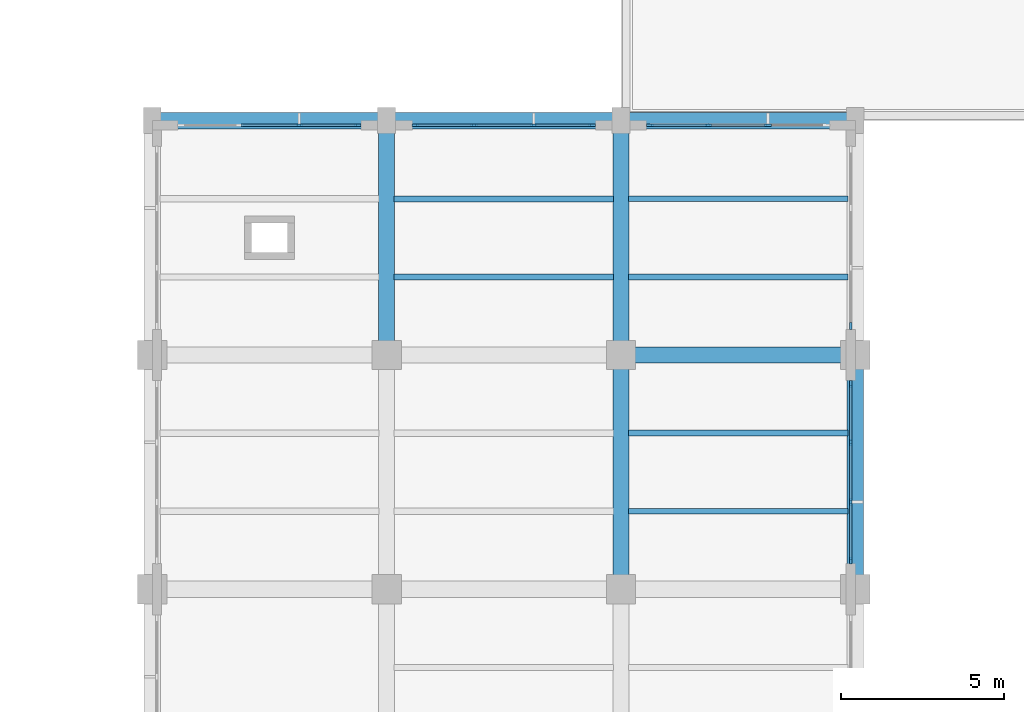
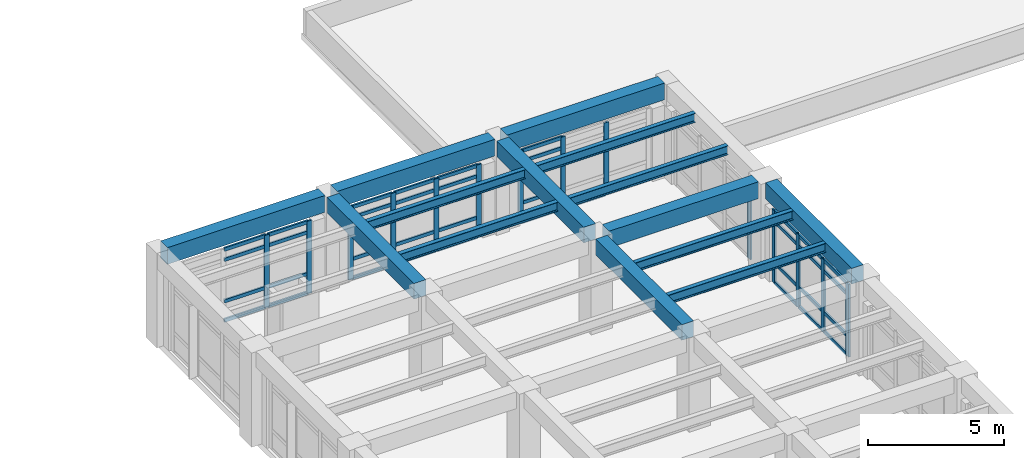
# One storey, part 20 of 69: 51 members, 14 beams, 5 elements without a shape of their own.
"""IFC4 building model written with IfcOpenShell, lengths in metres."""

from ifc_helpers import new_model, si_unit, direction, frame, origin, origin_2d, place, context, subcontext, project, spatial, rectangle, i_section, extrude, material, layer, layer_set, material_profile, profile_set, type_object, element, aggregate, save


model = new_model("IFC4")

# Units and contexts
model_context = context("Model", 3, precision=1e-05, world=origin(), true_north=direction((0.0, 1.0)))
body_context = subcontext(model_context, "Body", "Model", "MODEL_VIEW")
ifc_project = project(units=[si_unit("LENGTHUNIT", "METRE"), si_unit("AREAUNIT", "SQUARE_METRE"), si_unit("VOLUMEUNIT", "CUBIC_METRE"), si_unit("PLANEANGLEUNIT", "RADIAN"), si_unit("MASSUNIT", "GRAM", prefix="KILO")], contexts=[model_context])

# Site, building, storey
site_placement = place(None, origin())
site = spatial("IfcSite", under=ifc_project, at=site_placement, CompositionType="ELEMENT")
building_placement = place(site_placement, origin())
building = spatial("IfcBuilding", under=site, at=building_placement, Name="Solenvale Faculty of Natural Sciences", CompositionType="ELEMENT")
storey_placement = place(building_placement, frame((0.0, 0.0, 4.5)))
storey = spatial("IfcBuildingStorey", under=building, at=storey_placement, Name="L01", CompositionType="ELEMENT", Elevation=4.5)

# Beams
ifc_material_1 = material(Name="Concrete 40 MPa", Category="concrete")
ifc_material_profile_1 = material_profile(ifc_material_1, rectangle(XDim=0.5, YDim=0.699951171875, at=origin_2d()), Name="RC-BM-500x700")
ifc_profile_set_1 = profile_set([ifc_material_profile_1], Name="Concrete 40 MPa")
beam_type_1 = type_object("IfcBeamType", Name="BM-RC-500x700", PredefinedType="BEAM", material=ifc_profile_set_1)
beam_1_placement = place(storey_placement, frame((43.199951171875, 86.830078125, 3.8701171875), z_axis=(0.0, 1.0, 0.0), x_axis=(-1.0, 0.0, 0.0)))
element("IfcBeam", 1, at=beam_1_placement, inside=storey, type_object=beam_type_1, Name="L01 Y-Girder X43.2 (86.4..93.6)", PredefinedType="BEAM", context=body_context, shape_type="SweptSolid", body=[
    extrude(rectangle(XDim=0.5, YDim=0.699951171875, at=origin_2d()), origin(), (0.0, 0.0, 1.0), 6.389892578125),
])
beam_2_placement = place(storey_placement, frame((50.39990234375, 79.6298828125, 3.8701171875), z_axis=(0.0, 1.0, 0.0), x_axis=(-1.0, 0.0, 0.0)))
element("IfcBeam", 2, at=beam_2_placement, inside=storey, type_object=beam_type_1, Name="L01 Y-Girder X50.4 (79.2..86.4)", PredefinedType="BEAM", context=body_context, shape_type="SweptSolid", body=[
    extrude(rectangle(XDim=0.5, YDim=0.699951171875, at=origin_2d()), origin(), (0.0, 0.0, 1.0), 6.340087890625),
])
beam_3_placement = place(storey_placement, frame((50.39990234375, 86.830078125, 3.8701171875), z_axis=(0.0, 1.0, 0.0), x_axis=(-1.0, 0.0, 0.0)))
element("IfcBeam", 3, at=beam_3_placement, inside=storey, type_object=beam_type_1, Name="L01 Y-Girder X50.4 (86.4..93.6)", PredefinedType="BEAM", context=body_context, shape_type="SweptSolid", body=[
    extrude(rectangle(XDim=0.5, YDim=0.699951171875, at=origin_2d()), origin(), (0.0, 0.0, 1.0), 6.389892578125),
])
beam_4_placement = place(storey_placement, frame((57.60009765625, 79.6298828125, 3.8701171875), z_axis=(0.0, 1.0, 0.0), x_axis=(-1.0, 0.0, 0.0)))
element("IfcBeam", 4, at=beam_4_placement, inside=storey, type_object=beam_type_1, Name="L01 Y-Girder X57.6 (79.2..86.4)", PredefinedType="BEAM", context=body_context, shape_type="SweptSolid", body=[
    extrude(rectangle(XDim=0.5, YDim=0.699951171875, at=origin_2d()), origin(), (0.0, 0.0, 1.0), 6.340087890625),
])
ifc_material_profile_2 = material_profile(ifc_material_1, rectangle(XDim=0.5, YDim=0.75, at=origin_2d()), Name="RC-BM-500x750")
ifc_profile_set_2 = profile_set([ifc_material_profile_2], Name="Concrete 40 MPa")
beam_type_2 = type_object("IfcBeamType", Name="BM-RC-500x750", PredefinedType="BEAM", material=ifc_profile_set_2)
beam_5_placement = place(storey_placement, frame((50.830078125, 86.39990234375, 3.844970703125), z_axis=(1.0, 0.0, 0.0), x_axis=(0.0, 1.0, 0.0)))
element("IfcBeam", 5, at=beam_5_placement, inside=storey, type_object=beam_type_2, Name="L01 X-Girder Y86.4 (50.4..57.6)", PredefinedType="BEAM", context=body_context, shape_type="SweptSolid", body=[
    extrude(rectangle(XDim=0.5, YDim=0.75, at=origin_2d()), origin(), (0.0, 0.0, 1.0), 6.33984375),
])
beam_6_placement = place(storey_placement, frame((36.2548828125, 93.60009765625, 3.844970703125), z_axis=(1.0, 0.0, 0.0), x_axis=(0.0, 1.0, 0.0)))
element("IfcBeam", 6, at=beam_6_placement, inside=storey, type_object=beam_type_2, Name="L01 X-Girder Y93.6 (36.0..43.2)", PredefinedType="BEAM", context=body_context, shape_type="SweptSolid", body=[
    extrude(rectangle(XDim=0.5, YDim=0.75, at=origin_2d()), origin(), (0.0, 0.0, 1.0), 6.690185546875),
])
for number, where, z_axis, x_axis, name in (
    (7, (43.455078125, 93.60009765625, 3.844970703125), (1.0, 0.0, 0.0), (0.0, 1.0, 0.0), "L01 X-Girder Y93.6 (43.2..50.4)"),
    (8, (50.655029296875, 93.60009765625, 3.844970703125), (1.0, 0.0, 0.0), (0.0, 1.0, 0.0), "L01 X-Girder Y93.6 (50.4..57.6)"),
):
    element("IfcBeam", number, at=place(storey_placement, frame(where, z_axis=z_axis, x_axis=x_axis)), inside=storey, type_object=beam_type_2, Name=name, PredefinedType="BEAM", context=body_context, shape_type="SweptSolid", body=[
        extrude(rectangle(XDim=0.5, YDim=0.75, at=origin_2d()), origin(), (0.0, 0.0, 1.0), 6.68994140625),
    ])
ifc_material_2 = material(Name="Steel S355", Category="steel")
ifc_material_profile_3 = material_profile(ifc_material_2, i_section(OverallWidth=0.178955078125, OverallDepth=0.409912109375, WebThickness=0.0087890625, FlangeThickness=0.014404296875, FilletRadius=0.01611328125, at=origin_2d()), Name="W410x67")
ifc_profile_set_3 = profile_set([ifc_material_profile_3], Name="Steel S355")
beam_type_3 = type_object("IfcBeamType", Name="BM-STL-W410x67", PredefinedType="JOIST", material=ifc_profile_set_3)
for number, where, z_axis, x_axis, name in (
    (9, (50.6298828125, 88.800048828125, 4.014892578125), (1.0, 0.0, 0.0), (0.0, 1.0, 0.0), "L01 Composite Floor Joist (8,13).1"),
    (10, (50.6298828125, 91.199951171875, 4.014892578125), (1.0, 0.0, 0.0), (0.0, 1.0, 0.0), "L01 Composite Floor Joist (8,13).2"),
):
    element("IfcBeam", number, at=place(storey_placement, frame(where, z_axis=z_axis, x_axis=x_axis)), inside=storey, type_object=beam_type_3, Name=name, PredefinedType="JOIST", context=body_context, shape_type="SweptSolid", body=[
        extrude(i_section(OverallWidth=0.178955078125, OverallDepth=0.409912109375, WebThickness=0.0087890625, FlangeThickness=0.014404296875, FilletRadius=0.01611328125, at=origin_2d()), origin(), (0.0, 0.0, 1.0), 6.740234375),
    ])
ifc_material_profile_4 = material_profile(ifc_material_2, i_section(OverallWidth=0.180908203125, OverallDepth=0.4169921875, WebThickness=0.010986328125, FlangeThickness=0.018310546875, FilletRadius=0.01611328125, at=origin_2d()), Name="W410x85")
ifc_profile_set_4 = profile_set([ifc_material_profile_4], Name="Steel S355")
beam_type_4 = type_object("IfcBeamType", Name="BM-STL-W410x85", PredefinedType="JOIST", material=ifc_profile_set_4)
for number, where, z_axis, x_axis, name in (
    (11, (43.429931640625, 88.800048828125, 4.011474609375), (1.0, 0.0, 0.0), (0.0, 1.0, 0.0), "L01 Composite Floor Joist (7,13).1"),
    (12, (43.429931640625, 91.199951171875, 4.011474609375), (1.0, 0.0, 0.0), (0.0, 1.0, 0.0), "L01 Composite Floor Joist (7,13).2"),
):
    element("IfcBeam", number, at=place(storey_placement, frame(where, z_axis=z_axis, x_axis=x_axis)), inside=storey, type_object=beam_type_4, Name=name, PredefinedType="JOIST", context=body_context, shape_type="SweptSolid", body=[
        extrude(i_section(OverallWidth=0.180908203125, OverallDepth=0.4169921875, WebThickness=0.010986328125, FlangeThickness=0.018310546875, FilletRadius=0.01611328125, at=origin_2d()), origin(), (0.0, 0.0, 1.0), 6.739990234375),
    ])
for number, where, z_axis, x_axis, name in (
    (13, (50.6298828125, 81.60009765625, 4.011474609375), (1.0, 0.0, 0.0), (0.0, 1.0, 0.0), "L01 Composite Floor Joist (8,12).1"),
    (14, (50.6298828125, 84.0, 4.011474609375), (1.0, 0.0, 0.0), (0.0, 1.0, 0.0), "L01 Composite Floor Joist (8,12).2"),
):
    element("IfcBeam", number, at=place(storey_placement, frame(where, z_axis=z_axis, x_axis=x_axis)), inside=storey, type_object=beam_type_4, Name=name, PredefinedType="JOIST", context=body_context, shape_type="SweptSolid", body=[
        extrude(i_section(OverallWidth=0.180908203125, OverallDepth=0.4169921875, WebThickness=0.010986328125, FlangeThickness=0.018310546875, FilletRadius=0.01611328125, at=origin_2d()), origin(), (0.0, 0.0, 1.0), 6.740234375),
    ])

# Curtain wall, members
ifc_material_3 = material(Name="Anodised bronze aluminium", Category="aluminium")
ifc_layer = layer(ifc_material_3, 0.215087890625)
ifc_layer_set = layer_set([ifc_layer], Name="Anodised bronze aluminium")
curtain_wall_type = type_object("IfcCurtainWallType", Name="CW-ATR-UNIT", PredefinedType="USERDEFINED", material=ifc_layer_set)
curtain_wall_1_placement = place(storey_placement, origin())
curtain_wall_1 = element("IfcCurtainWall", 15, at=curtain_wall_1_placement, inside=storey, type_object=curtain_wall_type, Name="L01 Curtain Wall CW-L01-P1-E12-B6", ObjectType="UNITISED CURTAIN WALL", PredefinedType="USERDEFINED")
ifc_material_profile_5 = material_profile(ifc_material_3, rectangle(XDim=0.074951171875, YDim=0.2099609375, at=origin_2d()), Name="ALU-MUL-75x210")
ifc_profile_set_5 = profile_set([ifc_material_profile_5], Name="Anodised bronze aluminium")
member_type_1 = type_object("IfcMemberType", Name="CWM-ALU-75x210", PredefinedType="MULLION", material=ifc_profile_set_5)
member_1_placement = place(storey_placement, frame((57.45751953125, 80.08740234375, 0.0), z_axis=(0.0, 0.0, 1.0), x_axis=(-1.0, 0.0, 0.0)))
member_1 = element("IfcMember", 16, at=member_1_placement, type_object=member_type_1, Name="CW-01 mullion 1", PredefinedType="MULLION", context=body_context, shape_type="SweptSolid", body=[
    extrude(rectangle(XDim=0.074951171875, YDim=0.2099609375, at=origin_2d()), origin(), (0.0, 0.0, 1.0), 3.260009765625),
])
member_2_placement = place(storey_placement, frame((57.45751953125, 81.88330078125, 0.0), z_axis=(0.0, 0.0, 1.0), x_axis=(-1.0, 0.0, 0.0)))
member_2 = element("IfcMember", 17, at=member_2_placement, type_object=member_type_1, Name="CW-01 mullion 2", PredefinedType="MULLION", context=body_context, shape_type="SweptSolid", body=[
    extrude(rectangle(XDim=0.074951171875, YDim=0.2099609375, at=origin_2d()), origin(), (0.0, 0.0, 1.0), 3.260009765625),
])
member_3_placement = place(storey_placement, frame((57.45751953125, 83.716552734375, 0.0), z_axis=(0.0, 0.0, 1.0), x_axis=(-1.0, 0.0, 0.0)))
member_3 = element("IfcMember", 18, at=member_3_placement, type_object=member_type_1, Name="CW-01 mullion 3", PredefinedType="MULLION", context=body_context, shape_type="SweptSolid", body=[
    extrude(rectangle(XDim=0.074951171875, YDim=0.2099609375, at=origin_2d()), origin(), (0.0, 0.0, 1.0), 3.260009765625),
])
member_4_placement = place(storey_placement, frame((57.45751953125, 85.512451171875, 0.0), z_axis=(0.0, 0.0, 1.0), x_axis=(-1.0, 0.0, 0.0)))
member_4 = element("IfcMember", 19, at=member_4_placement, type_object=member_type_1, Name="CW-01 mullion 4", PredefinedType="MULLION", context=body_context, shape_type="SweptSolid", body=[
    extrude(rectangle(XDim=0.074951171875, YDim=0.2099609375, at=origin_2d()), origin(), (0.0, 0.0, 1.0), 3.260009765625),
])

# Curtain wall, member
curtain_wall_2_placement = place(storey_placement, origin())
curtain_wall_2 = element("IfcCurtainWall", 20, at=curtain_wall_2_placement, inside=storey, type_object=curtain_wall_type, Name="L01 Curtain Wall CW-L01-P1-E12-B7", ObjectType="UNITISED CURTAIN WALL", PredefinedType="USERDEFINED")
member_5_placement = place(storey_placement, frame((57.45751953125, 87.28759765625, 0.0), z_axis=(0.0, 0.0, 1.0), x_axis=(-1.0, 0.0, 0.0)))
member_5 = element("IfcMember", 21, at=member_5_placement, type_object=member_type_1, Name="CW-01 mullion 1", PredefinedType="MULLION", context=body_context, shape_type="SweptSolid", body=[
    extrude(rectangle(XDim=0.074951171875, YDim=0.2099609375, at=origin_2d()), origin(), (0.0, 0.0, 1.0), 3.260009765625),
])
aggregate(curtain_wall_2, [member_5])

# Curtain wall, members
curtain_wall_3_placement = place(storey_placement, origin())
curtain_wall_3 = element("IfcCurtainWall", 22, at=curtain_wall_3_placement, inside=storey, type_object=curtain_wall_type, Name="L01 Curtain Wall CW-L01-P1-E13-B1", ObjectType="UNITISED CURTAIN WALL", PredefinedType="USERDEFINED")
member_6_placement = place(storey_placement, frame((54.916748046875, 93.45751953125, 0.0), z_axis=(0.0, 0.0, 1.0), x_axis=(0.0, -1.0, 0.0)))
member_6 = element("IfcMember", 23, at=member_6_placement, type_object=member_type_1, Name="CW-01 mullion 2", PredefinedType="MULLION", context=body_context, shape_type="SweptSolid", body=[
    extrude(rectangle(XDim=0.074951171875, YDim=0.2099609375, at=origin_2d()), origin(), (0.0, 0.0, 1.0), 3.260009765625),
])
member_7_placement = place(storey_placement, frame((53.083251953125, 93.45751953125, 0.0), z_axis=(0.0, 0.0, 1.0), x_axis=(0.0, -1.0, 0.0)))
member_7 = element("IfcMember", 24, at=member_7_placement, type_object=member_type_1, Name="CW-01 mullion 3", PredefinedType="MULLION", context=body_context, shape_type="SweptSolid", body=[
    extrude(rectangle(XDim=0.074951171875, YDim=0.2099609375, at=origin_2d()), origin(), (0.0, 0.0, 1.0), 3.260009765625),
])
member_8_placement = place(storey_placement, frame((51.28759765625, 93.45751953125, 0.0), z_axis=(0.0, 0.0, 1.0), x_axis=(0.0, -1.0, 0.0)))
member_8 = element("IfcMember", 25, at=member_8_placement, type_object=member_type_1, Name="CW-01 mullion 4", PredefinedType="MULLION", context=body_context, shape_type="SweptSolid", body=[
    extrude(rectangle(XDim=0.074951171875, YDim=0.2099609375, at=origin_2d()), origin(), (0.0, 0.0, 1.0), 3.260009765625),
])

curtain_wall_4_placement = place(storey_placement, origin())
curtain_wall_4 = element("IfcCurtainWall", 26, at=curtain_wall_4_placement, inside=storey, type_object=curtain_wall_type, Name="L01 Curtain Wall CW-L01-P1-E13-B2", ObjectType="UNITISED CURTAIN WALL", PredefinedType="USERDEFINED")
member_9_placement = place(storey_placement, frame((49.512451171875, 93.45751953125, 0.0), z_axis=(0.0, 0.0, 1.0), x_axis=(0.0, -1.0, 0.0)))
member_9 = element("IfcMember", 27, at=member_9_placement, type_object=member_type_1, Name="CW-01 mullion 1", PredefinedType="MULLION", context=body_context, shape_type="SweptSolid", body=[
    extrude(rectangle(XDim=0.074951171875, YDim=0.2099609375, at=origin_2d()), origin(), (0.0, 0.0, 1.0), 3.260009765625),
])
member_10_placement = place(storey_placement, frame((47.716552734375, 93.45751953125, 0.0), z_axis=(0.0, 0.0, 1.0), x_axis=(0.0, -1.0, 0.0)))
member_10 = element("IfcMember", 28, at=member_10_placement, type_object=member_type_1, Name="CW-01 mullion 2", PredefinedType="MULLION", context=body_context, shape_type="SweptSolid", body=[
    extrude(rectangle(XDim=0.074951171875, YDim=0.2099609375, at=origin_2d()), origin(), (0.0, 0.0, 1.0), 3.260009765625),
])
member_11_placement = place(storey_placement, frame((45.88330078125, 93.45751953125, 0.0), z_axis=(0.0, 0.0, 1.0), x_axis=(0.0, -1.0, 0.0)))
member_11 = element("IfcMember", 29, at=member_11_placement, type_object=member_type_1, Name="CW-01 mullion 3", PredefinedType="MULLION", context=body_context, shape_type="SweptSolid", body=[
    extrude(rectangle(XDim=0.074951171875, YDim=0.2099609375, at=origin_2d()), origin(), (0.0, 0.0, 1.0), 3.260009765625),
])
member_12_placement = place(storey_placement, frame((44.08740234375, 93.45751953125, 0.0), z_axis=(0.0, 0.0, 1.0), x_axis=(0.0, -1.0, 0.0)))
member_12 = element("IfcMember", 30, at=member_12_placement, type_object=member_type_1, Name="CW-01 mullion 4", PredefinedType="MULLION", context=body_context, shape_type="SweptSolid", body=[
    extrude(rectangle(XDim=0.074951171875, YDim=0.2099609375, at=origin_2d()), origin(), (0.0, 0.0, 1.0), 3.260009765625),
])

curtain_wall_5_placement = place(storey_placement, origin())
curtain_wall_5 = element("IfcCurtainWall", 31, at=curtain_wall_5_placement, inside=storey, type_object=curtain_wall_type, Name="L01 Curtain Wall CW-L01-P1-E13-B3", ObjectType="UNITISED CURTAIN WALL", PredefinedType="USERDEFINED")
member_13_placement = place(storey_placement, frame((42.3125, 93.45751953125, 0.0), z_axis=(0.0, 0.0, 1.0), x_axis=(0.0, -1.0, 0.0)))
member_13 = element("IfcMember", 32, at=member_13_placement, type_object=member_type_1, Name="CW-01 mullion 1", PredefinedType="MULLION", context=body_context, shape_type="SweptSolid", body=[
    extrude(rectangle(XDim=0.074951171875, YDim=0.2099609375, at=origin_2d()), origin(), (0.0, 0.0, 1.0), 3.260009765625),
])
member_14_placement = place(storey_placement, frame((40.5166015625, 93.45751953125, 0.0), z_axis=(0.0, 0.0, 1.0), x_axis=(0.0, -1.0, 0.0)))
member_14 = element("IfcMember", 33, at=member_14_placement, type_object=member_type_1, Name="CW-01 mullion 2", PredefinedType="MULLION", context=body_context, shape_type="SweptSolid", body=[
    extrude(rectangle(XDim=0.074951171875, YDim=0.2099609375, at=origin_2d()), origin(), (0.0, 0.0, 1.0), 3.260009765625),
])

# Member
ifc_material_profile_6 = material_profile(ifc_material_3, rectangle(XDim=0.074951171875, YDim=0.155029296875, at=origin_2d()), Name="ALU-TRN-75x155")
ifc_profile_set_6 = profile_set([ifc_material_profile_6], Name="Anodised bronze aluminium")
member_type_2 = type_object("IfcMemberType", Name="CWT-ALU-75x155", PredefinedType="USERDEFINED", material=ifc_profile_set_6)
member_15_placement = place(storey_placement, frame((57.45751953125, 80.125, 0.03759765625), z_axis=(0.0, 1.0, 0.0), x_axis=(-1.0, 0.0, 0.0)))
member_15 = element("IfcMember", 34, at=member_15_placement, type_object=member_type_2, Name="CW-01 transom 1.1", ObjectType="TRANSOM", PredefinedType="USERDEFINED", context=body_context, shape_type="SweptSolid", body=[
    extrude(rectangle(XDim=0.074951171875, YDim=0.155029296875, at=origin_2d()), origin(), (0.0, 0.0, 1.0), 1.720947265625),
])

member_16_placement = place(storey_placement, frame((57.45751953125, 80.125, 0.89990234375), z_axis=(0.0, 1.0, 0.0), x_axis=(-1.0, 0.0, 0.0)))
member_16 = element("IfcMember", 35, at=member_16_placement, type_object=member_type_2, Name="CW-01 transom 1.2", ObjectType="TRANSOM", PredefinedType="USERDEFINED", context=body_context, shape_type="SweptSolid", body=[
    extrude(rectangle(XDim=0.074951171875, YDim=0.155029296875, at=origin_2d()), origin(), (0.0, 0.0, 1.0), 1.720947265625),
])

member_17_placement = place(storey_placement, frame((57.45751953125, 80.125, 2.760009765625), z_axis=(0.0, 1.0, 0.0), x_axis=(-1.0, 0.0, 0.0)))
member_17 = element("IfcMember", 36, at=member_17_placement, type_object=member_type_2, Name="CW-01 transom 1.3", ObjectType="TRANSOM", PredefinedType="USERDEFINED", context=body_context, shape_type="SweptSolid", body=[
    extrude(rectangle(XDim=0.074951171875, YDim=0.155029296875, at=origin_2d()), origin(), (0.0, 0.0, 1.0), 1.720947265625),
])

member_18_placement = place(storey_placement, frame((57.45751953125, 80.125, 3.222412109375), z_axis=(0.0, 1.0, 0.0), x_axis=(-1.0, 0.0, 0.0)))
member_18 = element("IfcMember", 37, at=member_18_placement, type_object=member_type_2, Name="CW-01 transom 1.4", ObjectType="TRANSOM", PredefinedType="USERDEFINED", context=body_context, shape_type="SweptSolid", body=[
    extrude(rectangle(XDim=0.074951171875, YDim=0.155029296875, at=origin_2d()), origin(), (0.0, 0.0, 1.0), 1.720947265625),
])

member_19_placement = place(storey_placement, frame((57.45751953125, 81.9208984375, 0.03759765625), z_axis=(0.0, 1.0, 0.0), x_axis=(-1.0, 0.0, 0.0)))
member_19 = element("IfcMember", 38, at=member_19_placement, type_object=member_type_2, Name="CW-01 transom 2.1", ObjectType="TRANSOM", PredefinedType="USERDEFINED", context=body_context, shape_type="SweptSolid", body=[
    extrude(rectangle(XDim=0.074951171875, YDim=0.155029296875, at=origin_2d()), origin(), (0.0, 0.0, 1.0), 1.75830078125),
])

member_20_placement = place(storey_placement, frame((57.45751953125, 81.9208984375, 0.89990234375), z_axis=(0.0, 1.0, 0.0), x_axis=(-1.0, 0.0, 0.0)))
member_20 = element("IfcMember", 39, at=member_20_placement, type_object=member_type_2, Name="CW-01 transom 2.2", ObjectType="TRANSOM", PredefinedType="USERDEFINED", context=body_context, shape_type="SweptSolid", body=[
    extrude(rectangle(XDim=0.074951171875, YDim=0.155029296875, at=origin_2d()), origin(), (0.0, 0.0, 1.0), 1.75830078125),
])

member_21_placement = place(storey_placement, frame((57.45751953125, 81.9208984375, 2.760009765625), z_axis=(0.0, 1.0, 0.0), x_axis=(-1.0, 0.0, 0.0)))
member_21 = element("IfcMember", 40, at=member_21_placement, type_object=member_type_2, Name="CW-01 transom 2.3", ObjectType="TRANSOM", PredefinedType="USERDEFINED", context=body_context, shape_type="SweptSolid", body=[
    extrude(rectangle(XDim=0.074951171875, YDim=0.155029296875, at=origin_2d()), origin(), (0.0, 0.0, 1.0), 1.75830078125),
])

member_22_placement = place(storey_placement, frame((57.45751953125, 81.9208984375, 3.222412109375), z_axis=(0.0, 1.0, 0.0), x_axis=(-1.0, 0.0, 0.0)))
member_22 = element("IfcMember", 41, at=member_22_placement, type_object=member_type_2, Name="CW-01 transom 2.4", ObjectType="TRANSOM", PredefinedType="USERDEFINED", context=body_context, shape_type="SweptSolid", body=[
    extrude(rectangle(XDim=0.074951171875, YDim=0.155029296875, at=origin_2d()), origin(), (0.0, 0.0, 1.0), 1.75830078125),
])

member_23_placement = place(storey_placement, frame((57.45751953125, 83.754150390625, 0.03759765625), z_axis=(0.0, 1.0, 0.0), x_axis=(-1.0, 0.0, 0.0)))
member_23 = element("IfcMember", 42, at=member_23_placement, type_object=member_type_2, Name="CW-01 transom 3.1", ObjectType="TRANSOM", PredefinedType="USERDEFINED", context=body_context, shape_type="SweptSolid", body=[
    extrude(rectangle(XDim=0.074951171875, YDim=0.155029296875, at=origin_2d()), origin(), (0.0, 0.0, 1.0), 1.720947265625),
])

member_24_placement = place(storey_placement, frame((57.45751953125, 83.754150390625, 0.89990234375), z_axis=(0.0, 1.0, 0.0), x_axis=(-1.0, 0.0, 0.0)))
member_24 = element("IfcMember", 43, at=member_24_placement, type_object=member_type_2, Name="CW-01 transom 3.2", ObjectType="TRANSOM", PredefinedType="USERDEFINED", context=body_context, shape_type="SweptSolid", body=[
    extrude(rectangle(XDim=0.074951171875, YDim=0.155029296875, at=origin_2d()), origin(), (0.0, 0.0, 1.0), 1.720947265625),
])

member_25_placement = place(storey_placement, frame((57.45751953125, 83.754150390625, 2.760009765625), z_axis=(0.0, 1.0, 0.0), x_axis=(-1.0, 0.0, 0.0)))
member_25 = element("IfcMember", 44, at=member_25_placement, type_object=member_type_2, Name="CW-01 transom 3.3", ObjectType="TRANSOM", PredefinedType="USERDEFINED", context=body_context, shape_type="SweptSolid", body=[
    extrude(rectangle(XDim=0.074951171875, YDim=0.155029296875, at=origin_2d()), origin(), (0.0, 0.0, 1.0), 1.720947265625),
])

member_26_placement = place(storey_placement, frame((57.45751953125, 83.754150390625, 3.222412109375), z_axis=(0.0, 1.0, 0.0), x_axis=(-1.0, 0.0, 0.0)))
member_26 = element("IfcMember", 45, at=member_26_placement, type_object=member_type_2, Name="CW-01 transom 3.4", ObjectType="TRANSOM", PredefinedType="USERDEFINED", context=body_context, shape_type="SweptSolid", body=[
    extrude(rectangle(XDim=0.074951171875, YDim=0.155029296875, at=origin_2d()), origin(), (0.0, 0.0, 1.0), 1.720947265625),
])

aggregate(curtain_wall_1, [member_1, member_2, member_3, member_4, member_15, member_16, member_17, member_18, member_19, member_20, member_21, member_22, member_23, member_24, member_25, member_26])

member_27_placement = place(storey_placement, frame((54.879150390625, 93.45751953125, 0.03759765625), z_axis=(-1.0, 0.0, 0.0), x_axis=(0.0, -1.0, 0.0)))
member_27 = element("IfcMember", 46, at=member_27_placement, type_object=member_type_2, Name="CW-01 transom 2.1", ObjectType="TRANSOM", PredefinedType="USERDEFINED", context=body_context, shape_type="SweptSolid", body=[
    extrude(rectangle(XDim=0.074951171875, YDim=0.155029296875, at=origin_2d()), origin(), (0.0, 0.0, 1.0), 1.75830078125),
])

member_28_placement = place(storey_placement, frame((53.0458984375, 93.45751953125, 0.03759765625), z_axis=(-1.0, 0.0, 0.0), x_axis=(0.0, -1.0, 0.0)))
member_28 = element("IfcMember", 47, at=member_28_placement, type_object=member_type_2, Name="CW-01 transom 3.1", ObjectType="TRANSOM", PredefinedType="USERDEFINED", context=body_context, shape_type="SweptSolid", body=[
    extrude(rectangle(XDim=0.074951171875, YDim=0.155029296875, at=origin_2d()), origin(), (0.0, 0.0, 1.0), 1.720947265625),
])

member_29_placement = place(storey_placement, frame((53.0458984375, 93.45751953125, 0.89990234375), z_axis=(-1.0, 0.0, 0.0), x_axis=(0.0, -1.0, 0.0)))
member_29 = element("IfcMember", 48, at=member_29_placement, type_object=member_type_2, Name="CW-01 transom 3.2", ObjectType="TRANSOM", PredefinedType="USERDEFINED", context=body_context, shape_type="SweptSolid", body=[
    extrude(rectangle(XDim=0.074951171875, YDim=0.155029296875, at=origin_2d()), origin(), (0.0, 0.0, 1.0), 1.720947265625),
])

member_30_placement = place(storey_placement, frame((53.0458984375, 93.45751953125, 2.760009765625), z_axis=(-1.0, 0.0, 0.0), x_axis=(0.0, -1.0, 0.0)))
member_30 = element("IfcMember", 49, at=member_30_placement, type_object=member_type_2, Name="CW-01 transom 3.3", ObjectType="TRANSOM", PredefinedType="USERDEFINED", context=body_context, shape_type="SweptSolid", body=[
    extrude(rectangle(XDim=0.074951171875, YDim=0.155029296875, at=origin_2d()), origin(), (0.0, 0.0, 1.0), 1.720947265625),
])

member_31_placement = place(storey_placement, frame((53.0458984375, 93.45751953125, 3.222412109375), z_axis=(-1.0, 0.0, 0.0), x_axis=(0.0, -1.0, 0.0)))
member_31 = element("IfcMember", 50, at=member_31_placement, type_object=member_type_2, Name="CW-01 transom 3.4", ObjectType="TRANSOM", PredefinedType="USERDEFINED", context=body_context, shape_type="SweptSolid", body=[
    extrude(rectangle(XDim=0.074951171875, YDim=0.155029296875, at=origin_2d()), origin(), (0.0, 0.0, 1.0), 1.720947265625),
])

aggregate(curtain_wall_3, [member_6, member_7, member_8, member_27, member_28, member_29, member_30, member_31])

member_32_placement = place(storey_placement, frame((49.47509765625, 93.45751953125, 0.03759765625), z_axis=(-1.0, 0.0, 0.0), x_axis=(0.0, -1.0, 0.0)))
member_32 = element("IfcMember", 51, at=member_32_placement, type_object=member_type_2, Name="CW-01 transom 1.1", ObjectType="TRANSOM", PredefinedType="USERDEFINED", context=body_context, shape_type="SweptSolid", body=[
    extrude(rectangle(XDim=0.074951171875, YDim=0.155029296875, at=origin_2d()), origin(), (0.0, 0.0, 1.0), 1.720947265625),
])

member_33_placement = place(storey_placement, frame((49.47509765625, 93.45751953125, 0.89990234375), z_axis=(-1.0, 0.0, 0.0), x_axis=(0.0, -1.0, 0.0)))
member_33 = element("IfcMember", 52, at=member_33_placement, type_object=member_type_2, Name="CW-01 transom 1.2", ObjectType="TRANSOM", PredefinedType="USERDEFINED", context=body_context, shape_type="SweptSolid", body=[
    extrude(rectangle(XDim=0.074951171875, YDim=0.155029296875, at=origin_2d()), origin(), (0.0, 0.0, 1.0), 1.720947265625),
])

member_34_placement = place(storey_placement, frame((49.47509765625, 93.45751953125, 2.760009765625), z_axis=(-1.0, 0.0, 0.0), x_axis=(0.0, -1.0, 0.0)))
member_34 = element("IfcMember", 53, at=member_34_placement, type_object=member_type_2, Name="CW-01 transom 1.3", ObjectType="TRANSOM", PredefinedType="USERDEFINED", context=body_context, shape_type="SweptSolid", body=[
    extrude(rectangle(XDim=0.074951171875, YDim=0.155029296875, at=origin_2d()), origin(), (0.0, 0.0, 1.0), 1.720947265625),
])

member_35_placement = place(storey_placement, frame((49.47509765625, 93.45751953125, 3.222412109375), z_axis=(-1.0, 0.0, 0.0), x_axis=(0.0, -1.0, 0.0)))
member_35 = element("IfcMember", 54, at=member_35_placement, type_object=member_type_2, Name="CW-01 transom 1.4", ObjectType="TRANSOM", PredefinedType="USERDEFINED", context=body_context, shape_type="SweptSolid", body=[
    extrude(rectangle(XDim=0.074951171875, YDim=0.155029296875, at=origin_2d()), origin(), (0.0, 0.0, 1.0), 1.720947265625),
])

member_36_placement = place(storey_placement, frame((47.67919921875, 93.45751953125, 0.03759765625), z_axis=(-1.0, 0.0, 0.0), x_axis=(0.0, -1.0, 0.0)))
member_36 = element("IfcMember", 55, at=member_36_placement, type_object=member_type_2, Name="CW-01 transom 2.1", ObjectType="TRANSOM", PredefinedType="USERDEFINED", context=body_context, shape_type="SweptSolid", body=[
    extrude(rectangle(XDim=0.074951171875, YDim=0.155029296875, at=origin_2d()), origin(), (0.0, 0.0, 1.0), 1.75830078125),
])

member_37_placement = place(storey_placement, frame((47.67919921875, 93.45751953125, 0.89990234375), z_axis=(-1.0, 0.0, 0.0), x_axis=(0.0, -1.0, 0.0)))
member_37 = element("IfcMember", 56, at=member_37_placement, type_object=member_type_2, Name="CW-01 transom 2.2", ObjectType="TRANSOM", PredefinedType="USERDEFINED", context=body_context, shape_type="SweptSolid", body=[
    extrude(rectangle(XDim=0.074951171875, YDim=0.155029296875, at=origin_2d()), origin(), (0.0, 0.0, 1.0), 1.75830078125),
])

member_38_placement = place(storey_placement, frame((47.67919921875, 93.45751953125, 2.760009765625), z_axis=(-1.0, 0.0, 0.0), x_axis=(0.0, -1.0, 0.0)))
member_38 = element("IfcMember", 57, at=member_38_placement, type_object=member_type_2, Name="CW-01 transom 2.3", ObjectType="TRANSOM", PredefinedType="USERDEFINED", context=body_context, shape_type="SweptSolid", body=[
    extrude(rectangle(XDim=0.074951171875, YDim=0.155029296875, at=origin_2d()), origin(), (0.0, 0.0, 1.0), 1.75830078125),
])

member_39_placement = place(storey_placement, frame((47.67919921875, 93.45751953125, 3.222412109375), z_axis=(-1.0, 0.0, 0.0), x_axis=(0.0, -1.0, 0.0)))
member_39 = element("IfcMember", 58, at=member_39_placement, type_object=member_type_2, Name="CW-01 transom 2.4", ObjectType="TRANSOM", PredefinedType="USERDEFINED", context=body_context, shape_type="SweptSolid", body=[
    extrude(rectangle(XDim=0.074951171875, YDim=0.155029296875, at=origin_2d()), origin(), (0.0, 0.0, 1.0), 1.75830078125),
])

member_40_placement = place(storey_placement, frame((45.845947265625, 93.45751953125, 0.03759765625), z_axis=(-1.0, 0.0, 0.0), x_axis=(0.0, -1.0, 0.0)))
member_40 = element("IfcMember", 59, at=member_40_placement, type_object=member_type_2, Name="CW-01 transom 3.1", ObjectType="TRANSOM", PredefinedType="USERDEFINED", context=body_context, shape_type="SweptSolid", body=[
    extrude(rectangle(XDim=0.074951171875, YDim=0.155029296875, at=origin_2d()), origin(), (0.0, 0.0, 1.0), 1.720947265625),
])

member_41_placement = place(storey_placement, frame((45.845947265625, 93.45751953125, 0.89990234375), z_axis=(-1.0, 0.0, 0.0), x_axis=(0.0, -1.0, 0.0)))
member_41 = element("IfcMember", 60, at=member_41_placement, type_object=member_type_2, Name="CW-01 transom 3.2", ObjectType="TRANSOM", PredefinedType="USERDEFINED", context=body_context, shape_type="SweptSolid", body=[
    extrude(rectangle(XDim=0.074951171875, YDim=0.155029296875, at=origin_2d()), origin(), (0.0, 0.0, 1.0), 1.720947265625),
])

member_42_placement = place(storey_placement, frame((45.845947265625, 93.45751953125, 2.760009765625), z_axis=(-1.0, 0.0, 0.0), x_axis=(0.0, -1.0, 0.0)))
member_42 = element("IfcMember", 61, at=member_42_placement, type_object=member_type_2, Name="CW-01 transom 3.3", ObjectType="TRANSOM", PredefinedType="USERDEFINED", context=body_context, shape_type="SweptSolid", body=[
    extrude(rectangle(XDim=0.074951171875, YDim=0.155029296875, at=origin_2d()), origin(), (0.0, 0.0, 1.0), 1.720947265625),
])

member_43_placement = place(storey_placement, frame((45.845947265625, 93.45751953125, 3.222412109375), z_axis=(-1.0, 0.0, 0.0), x_axis=(0.0, -1.0, 0.0)))
member_43 = element("IfcMember", 62, at=member_43_placement, type_object=member_type_2, Name="CW-01 transom 3.4", ObjectType="TRANSOM", PredefinedType="USERDEFINED", context=body_context, shape_type="SweptSolid", body=[
    extrude(rectangle(XDim=0.074951171875, YDim=0.155029296875, at=origin_2d()), origin(), (0.0, 0.0, 1.0), 1.720947265625),
])

aggregate(curtain_wall_4, [member_9, member_10, member_11, member_12, member_32, member_33, member_34, member_35, member_36, member_37, member_38, member_39, member_40, member_41, member_42, member_43])

member_44_placement = place(storey_placement, frame((42.27490234375, 93.45751953125, 0.03759765625), z_axis=(-1.0, 0.0, 0.0), x_axis=(0.0, -1.0, 0.0)))
member_44 = element("IfcMember", 63, at=member_44_placement, type_object=member_type_2, Name="CW-01 transom 1.1", ObjectType="TRANSOM", PredefinedType="USERDEFINED", context=body_context, shape_type="SweptSolid", body=[
    extrude(rectangle(XDim=0.074951171875, YDim=0.155029296875, at=origin_2d()), origin(), (0.0, 0.0, 1.0), 1.720703125),
])

member_45_placement = place(storey_placement, frame((42.27490234375, 93.45751953125, 0.89990234375), z_axis=(-1.0, 0.0, 0.0), x_axis=(0.0, -1.0, 0.0)))
member_45 = element("IfcMember", 64, at=member_45_placement, type_object=member_type_2, Name="CW-01 transom 1.2", ObjectType="TRANSOM", PredefinedType="USERDEFINED", context=body_context, shape_type="SweptSolid", body=[
    extrude(rectangle(XDim=0.074951171875, YDim=0.155029296875, at=origin_2d()), origin(), (0.0, 0.0, 1.0), 1.720703125),
])

member_46_placement = place(storey_placement, frame((42.27490234375, 93.45751953125, 2.760009765625), z_axis=(-1.0, 0.0, 0.0), x_axis=(0.0, -1.0, 0.0)))
member_46 = element("IfcMember", 65, at=member_46_placement, type_object=member_type_2, Name="CW-01 transom 1.3", ObjectType="TRANSOM", PredefinedType="USERDEFINED", context=body_context, shape_type="SweptSolid", body=[
    extrude(rectangle(XDim=0.074951171875, YDim=0.155029296875, at=origin_2d()), origin(), (0.0, 0.0, 1.0), 1.720703125),
])

member_47_placement = place(storey_placement, frame((42.27490234375, 93.45751953125, 3.222412109375), z_axis=(-1.0, 0.0, 0.0), x_axis=(0.0, -1.0, 0.0)))
member_47 = element("IfcMember", 66, at=member_47_placement, type_object=member_type_2, Name="CW-01 transom 1.4", ObjectType="TRANSOM", PredefinedType="USERDEFINED", context=body_context, shape_type="SweptSolid", body=[
    extrude(rectangle(XDim=0.074951171875, YDim=0.155029296875, at=origin_2d()), origin(), (0.0, 0.0, 1.0), 1.720703125),
])

member_48_placement = place(storey_placement, frame((40.479248046875, 93.45751953125, 0.03759765625), z_axis=(-1.0, 0.0, 0.0), x_axis=(0.0, -1.0, 0.0)))
member_48 = element("IfcMember", 67, at=member_48_placement, type_object=member_type_2, Name="CW-01 transom 2.1", ObjectType="TRANSOM", PredefinedType="USERDEFINED", context=body_context, shape_type="SweptSolid", body=[
    extrude(rectangle(XDim=0.074951171875, YDim=0.155029296875, at=origin_2d()), origin(), (0.0, 0.0, 1.0), 1.75830078125),
])

member_49_placement = place(storey_placement, frame((40.479248046875, 93.45751953125, 0.89990234375), z_axis=(-1.0, 0.0, 0.0), x_axis=(0.0, -1.0, 0.0)))
member_49 = element("IfcMember", 68, at=member_49_placement, type_object=member_type_2, Name="CW-01 transom 2.2", ObjectType="TRANSOM", PredefinedType="USERDEFINED", context=body_context, shape_type="SweptSolid", body=[
    extrude(rectangle(XDim=0.074951171875, YDim=0.155029296875, at=origin_2d()), origin(), (0.0, 0.0, 1.0), 1.75830078125),
])

member_50_placement = place(storey_placement, frame((40.479248046875, 93.45751953125, 2.760009765625), z_axis=(-1.0, 0.0, 0.0), x_axis=(0.0, -1.0, 0.0)))
member_50 = element("IfcMember", 69, at=member_50_placement, type_object=member_type_2, Name="CW-01 transom 2.3", ObjectType="TRANSOM", PredefinedType="USERDEFINED", context=body_context, shape_type="SweptSolid", body=[
    extrude(rectangle(XDim=0.074951171875, YDim=0.155029296875, at=origin_2d()), origin(), (0.0, 0.0, 1.0), 1.75830078125),
])

member_51_placement = place(storey_placement, frame((40.479248046875, 93.45751953125, 3.222412109375), z_axis=(-1.0, 0.0, 0.0), x_axis=(0.0, -1.0, 0.0)))
member_51 = element("IfcMember", 70, at=member_51_placement, type_object=member_type_2, Name="CW-01 transom 2.4", ObjectType="TRANSOM", PredefinedType="USERDEFINED", context=body_context, shape_type="SweptSolid", body=[
    extrude(rectangle(XDim=0.074951171875, YDim=0.155029296875, at=origin_2d()), origin(), (0.0, 0.0, 1.0), 1.75830078125),
])

aggregate(curtain_wall_5, [member_13, member_14, member_44, member_45, member_46, member_47, member_48, member_49, member_50, member_51])

save(model, "model.ifc")
